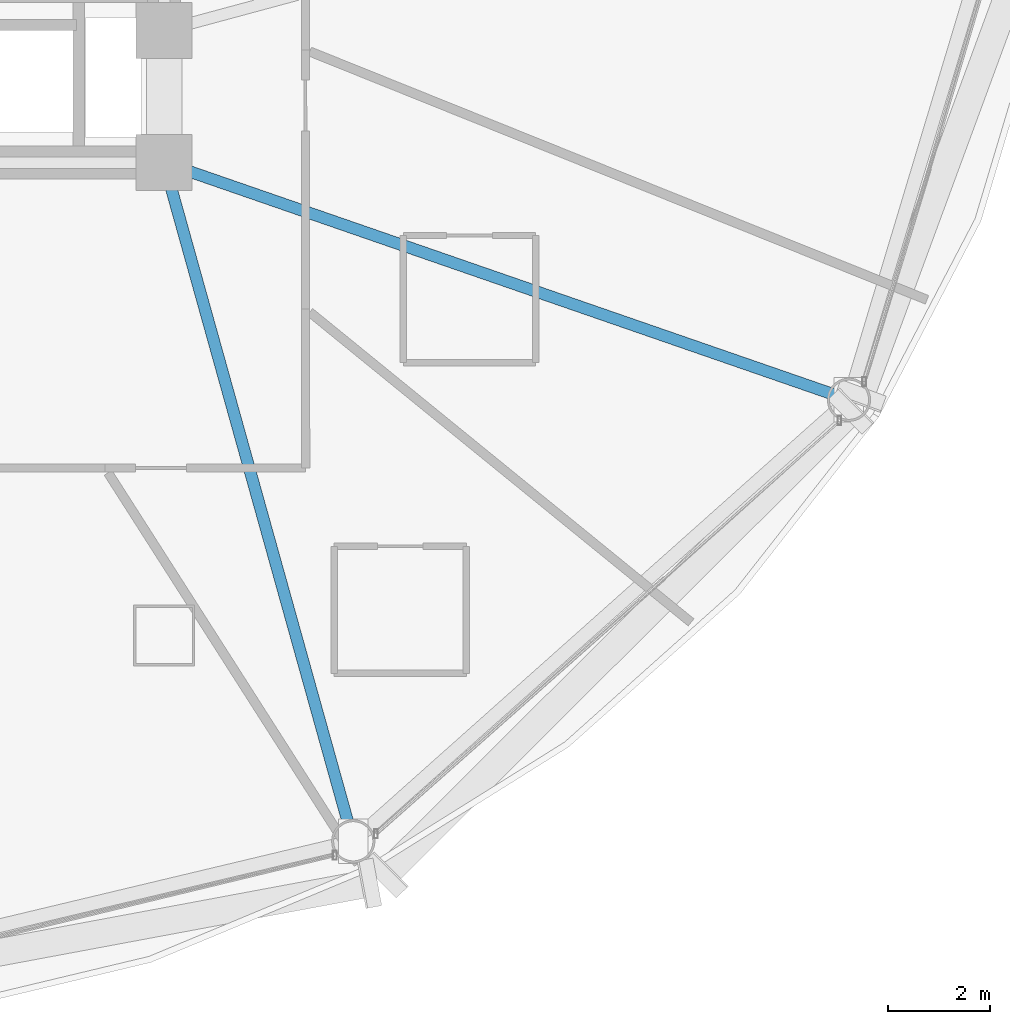
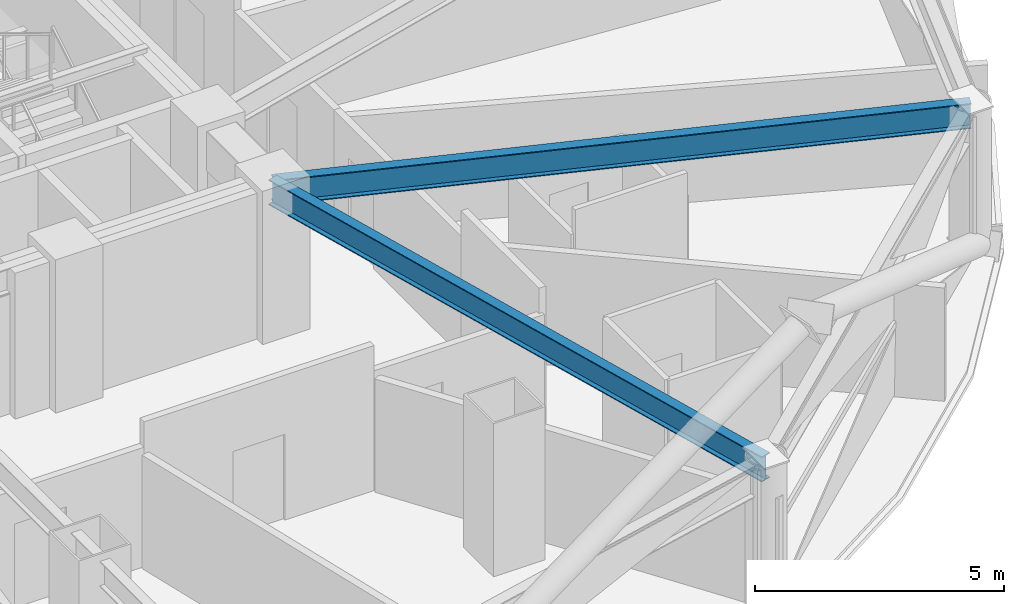
# One storey, part 11 of 30: 2 beams.
"""IFC4 building model written with IfcOpenShell, lengths in metres."""

from ifc_helpers import new_model, si_unit, direction, frame, origin, origin_2d, place, context, subcontext, project, spatial, i_section, extrude, material, material_profile, profile_set, type_object, element, save


model = new_model("IFC4")

# Units and contexts
model_context = context("Model", 3, precision=1e-05, world=origin(), true_north=direction((0.0, 1.0)))
body_context = subcontext(model_context, "Body", "Model", "MODEL_VIEW")
ifc_project = project(units=[si_unit("LENGTHUNIT", "METRE"), si_unit("AREAUNIT", "SQUARE_METRE"), si_unit("VOLUMEUNIT", "CUBIC_METRE"), si_unit("PLANEANGLEUNIT", "RADIAN"), si_unit("MASSUNIT", "GRAM", prefix="KILO")], contexts=[model_context])

# Site, building, storey
site_placement = place(None, origin())
site = spatial("IfcSite", under=ifc_project, at=site_placement, CompositionType="ELEMENT")
building_placement = place(site_placement, origin())
building = spatial("IfcBuilding", under=site, at=building_placement, Name="Vantalir Tower", CompositionType="ELEMENT")
storey_placement = place(building_placement, frame((0.0, 0.0, 49.5)))
storey = spatial("IfcBuildingStorey", under=building, at=storey_placement, Name="L11", CompositionType="ELEMENT", Elevation=49.5)

# Beams
ifc_material = material(Name="Steel S355", Category="steel")
ifc_material_profile = material_profile(ifc_material, i_section(OverallWidth=0.22998046875, OverallDepth=0.616943359375, WebThickness=0.01318359375, FlangeThickness=0.022216796875, at=origin_2d()), Name="Steel S355")
ifc_profile_set = profile_set([ifc_material_profile], Name="Steel S355")
beam_type = type_object("IfcBeamType", Name="BM-RB-610x229", PredefinedType="BEAM", material=ifc_profile_set)
beam_1_placement = place(storey_placement, frame((44.820068359375, 4.452880859375, 3.261962890625), z_axis=(-0.268476196098, 0.963286318873, 0.0), x_axis=(-0.963286318873, -0.268476196098, 0.0)))
element("IfcBeam", 1, at=beam_1_placement, inside=storey, type_object=beam_type, Name="L11 Radial Floor Beam 11", PredefinedType="BEAM", context=body_context, shape_type="SweptSolid", body=[
    extrude(i_section(OverallWidth=0.22998046875, OverallDepth=0.616943359375, WebThickness=0.01318359375, FlangeThickness=0.022216796875, at=origin_2d()), origin(), (0.0, 0.0, 1.0), 13.85595703125),
])
beam_2_placement = place(storey_placement, frame((54.570068359375, 13.136962890625, 3.261962890625), z_axis=(-0.944977317019, 0.327135859117, 0.0), x_axis=(-0.327135859117, -0.944977317019, 0.0)))
element("IfcBeam", 2, at=beam_2_placement, inside=storey, type_object=beam_type, Name="L11 Radial Floor Beam 12", PredefinedType="BEAM", context=body_context, shape_type="SweptSolid", body=[
    extrude(i_section(OverallWidth=0.22998046875, OverallDepth=0.616943359375, WebThickness=0.01318359375, FlangeThickness=0.022216796875, at=origin_2d()), origin(), (0.0, 0.0, 1.0), 14.25439453125),
])

save(model, "model.ifc")
